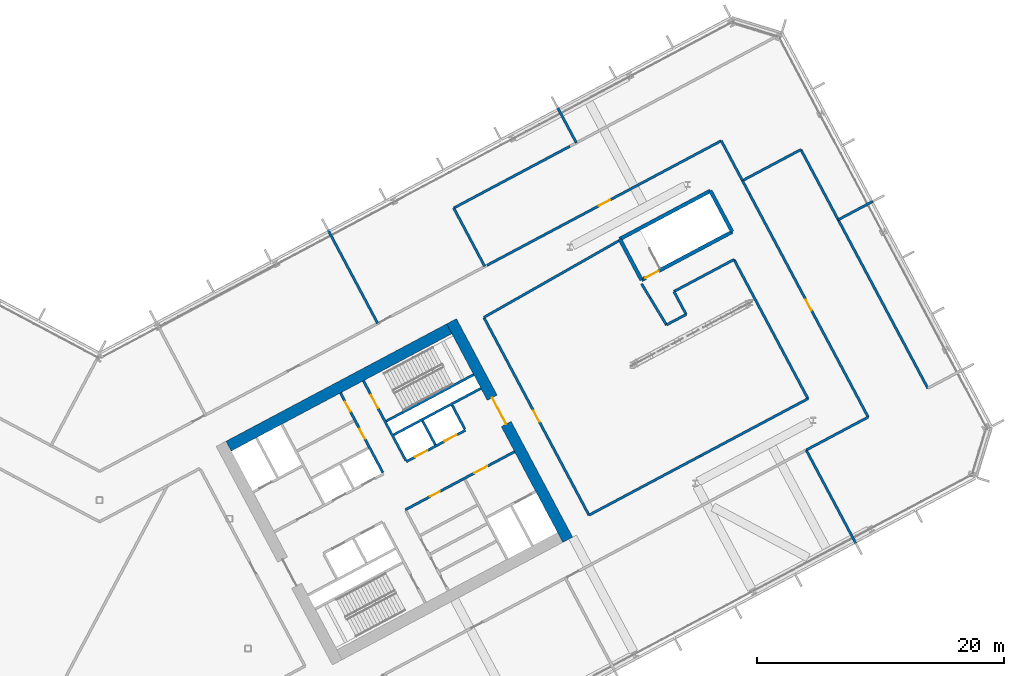
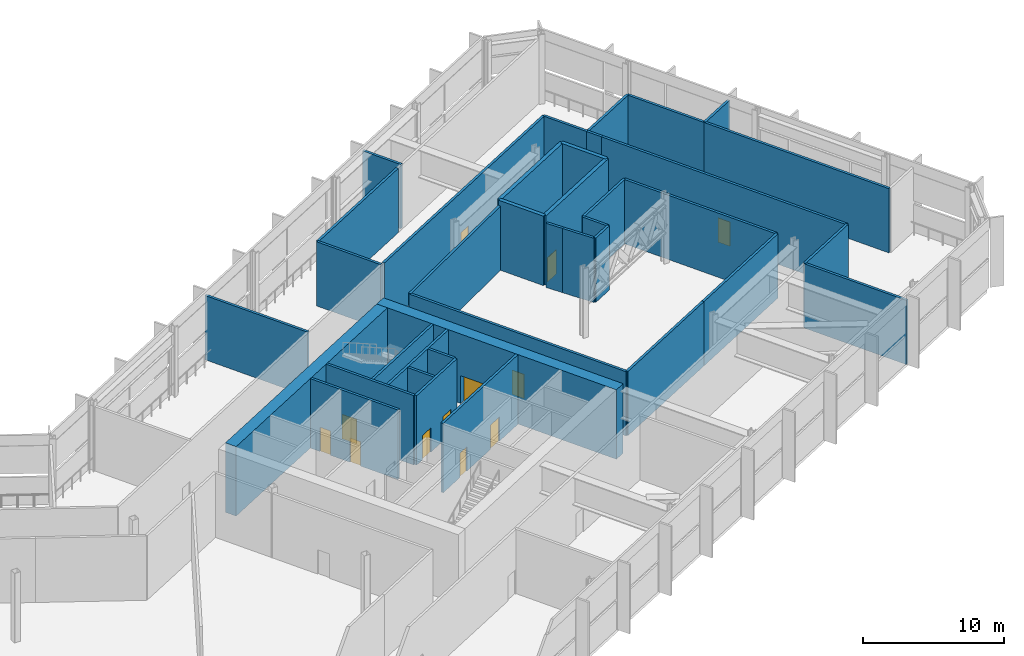
# One storey, part 16 of 33: 38 walls, 12 doors, 12 openings.
"""IFC4 building model written with IfcOpenShell, lengths in metres."""

from ifc_helpers import new_model, si_unit, direction, frame, frame_2d, origin, place, context, subcontext, project, spatial, rectangle, extrude, material, layer, layer_set, type_object, element, fill, save


model = new_model("IFC4")

# Units and contexts
model_context = context("Model", 3, precision=1e-05, world=origin(), true_north=direction((0.0, 1.0)))
body_context = subcontext(model_context, "Body", "Model", "MODEL_VIEW")
ifc_project = project(units=[si_unit("LENGTHUNIT", "METRE"), si_unit("AREAUNIT", "SQUARE_METRE"), si_unit("VOLUMEUNIT", "CUBIC_METRE"), si_unit("PLANEANGLEUNIT", "RADIAN"), si_unit("MASSUNIT", "GRAM", prefix="KILO")], contexts=[model_context])

# Site, building, storey
site_placement = place(None, origin())
site = spatial("IfcSite", under=ifc_project, at=site_placement, CompositionType="ELEMENT")
building_placement = place(site_placement, origin())
building = spatial("IfcBuilding", under=site, at=building_placement, Name="Cormorant Relay Tower", CompositionType="ELEMENT")
storey_placement = place(building_placement, frame((0.0, 0.0, 112.199951171875)))
storey = spatial("IfcBuildingStorey", under=building, at=storey_placement, Name="L22", CompositionType="ELEMENT", Elevation=112.199951171875)

# Wall
ifc_material_1 = material(Name="Concrete 40 MPa", Category="concrete")
ifc_layer_1 = layer(ifc_material_1, 0.199951171875)
ifc_layer_set_1 = layer_set([ifc_layer_1], Name="Core internal wall 200")
wall_type_1 = type_object("IfcWallType", Name="Core internal wall 200", PredefinedType="SOLIDWALL", material=ifc_layer_set_1)
wall_1_placement = place(storey_placement, frame((27.144287109375, 16.471435546875, 0.0), z_axis=(0.0, 0.0, 1.0), x_axis=(-0.469401318492, 0.882984938828, 0.0)))
element("IfcWall", 1, at=wall_1_placement, inside=storey, type_object=wall_type_1, Name="L22 core B shaft and room wall", PredefinedType="SOLIDWALL", context=body_context, shape_type="SweptSolid", body=[
    extrude(rectangle(XDim=2.199951171875, YDim=0.199951171875, at=frame_2d((1.10009765625, 0.0))), origin(), (0.0, 0.0, 1.0), 6.0),
])

# Wall, openings, doors
ifc_material_2 = material(Name="Concrete 50 MPa", Category="concrete")
ifc_layer_2 = layer(ifc_material_2, 0.199951171875)
ifc_layer_set_2 = layer_set([ifc_layer_2], Name="Core shaft wall 200")
wall_type_2 = type_object("IfcWallType", Name="Core shaft wall 200", PredefinedType="SHEAR", material=ifc_layer_set_2)
wall_2_placement = place(storey_placement, frame((22.90625, 14.218017578125, 0.0), z_axis=(0.0, 0.0, 1.0), x_axis=(-0.469480409012, 0.88294288918, 0.0)))
wall_2 = element("IfcWall", 2, at=wall_2_placement, inside=storey, type_object=wall_type_2, Name="L22 core B shaft wall", PredefinedType="SHEAR", context=body_context, shape_type="SweptSolid", body=[
    extrude(rectangle(XDim=7.300048828125, YDim=0.199951171875, at=frame_2d((3.64990234375, 0.0))), origin(), (0.0, 0.0, 1.0), 6.0),
])
opening_1_placement = place(wall_2_placement, frame((3.10009765625, 0.0, 0.0)))
opening_1 = element("IfcOpeningElement", 3, at=opening_1_placement, cuts=wall_2, Name="Opening CDD-161", PredefinedType="OPENING", context=body_context, shape_type="SweptSolid", body=[
    extrude(rectangle(XDim=0.89990234375, YDim=2.10009765625, at=frame_2d((0.449951171875, 1.050048828125))), frame((0.0, 0.10986328125, 0.0), z_axis=(0.0, -1.0, 0.0), x_axis=(1.0, 0.0, 0.0)), (0.0, 0.0, 1.0), 0.219970703125),
])
opening_2_placement = place(wall_2_placement, frame((5.60009765625, 0.0, 0.0)))
opening_2 = element("IfcOpeningElement", 4, at=opening_2_placement, cuts=wall_2, Name="Opening CDD-162", PredefinedType="OPENING", context=body_context, shape_type="SweptSolid", body=[
    extrude(rectangle(XDim=0.89990234375, YDim=2.10009765625, at=frame_2d((0.449951171875, 1.050048828125))), frame((0.0, 0.10986328125, 0.0), z_axis=(0.0, -1.0, 0.0), x_axis=(1.0, 0.0, 0.0)), (0.0, 0.0, 1.0), 0.219970703125),
])
ifc_material_3 = material(Name="Steel fire door", Category="steel")
door_type_1 = type_object("IfcDoorType", Name="Core room door 900x2100", OperationType="SINGLE_SWING_LEFT", PredefinedType="DOOR", material=ifc_material_3)
door_1_placement = place(opening_1_placement, origin())
door_1 = element("IfcDoor", 5, at=door_1_placement, inside=storey, type_object=door_type_1, Name="Core room door 900x2100", OperationType="SINGLE_SWING_RIGHT", OverallHeight=2.10009765625, OverallWidth=0.89990234375, PredefinedType="DOOR", context=body_context, shape_type="SweptSolid", body=[
    extrude(rectangle(XDim=0.89990234375, YDim=2.10009765625, at=frame_2d((0.449951171875, 1.050048828125))), frame((0.0, 0.02490234375, 0.0), z_axis=(0.0, -1.0, 0.0), x_axis=(1.0, 0.0, 0.0)), (0.0, 0.0, 1.0), 0.050048828125),
])
fill(opening_1, door_1)
door_2_placement = place(opening_2_placement, frame((0.89990234375, 0.0, 0.0), z_axis=(0.0, 0.0, 1.0), x_axis=(-1.0, 0.0, 0.0)))
door_2 = element("IfcDoor", 6, at=door_2_placement, inside=storey, type_object=door_type_1, Name="Core room door 900x2100", OperationType="SINGLE_SWING_LEFT", OverallHeight=2.10009765625, OverallWidth=0.89990234375, PredefinedType="DOOR", context=body_context, shape_type="SweptSolid", body=[
    extrude(rectangle(XDim=0.89990234375, YDim=2.10009765625, at=frame_2d((0.449951171875, 1.050048828125))), frame((0.0, 0.02490234375, 0.0), z_axis=(0.0, -1.0, 0.0), x_axis=(1.0, 0.0, 0.0)), (0.0, 0.0, 1.0), 0.050048828125),
])
fill(opening_2, door_2)

# Wall, opening, door
wall_3_placement = place(storey_placement, frame((24.760498046875, 15.2041015625, 0.0), z_axis=(0.0, 0.0, 1.0), x_axis=(-0.469494272526, 0.882935517501, 0.0)))
wall_3 = element("IfcWall", 7, at=wall_3_placement, inside=storey, type_object=wall_type_2, Name="L22 core B shaft wall", PredefinedType="SHEAR", context=body_context, shape_type="SweptSolid", body=[
    extrude(rectangle(XDim=7.2998046875, YDim=0.199951171875, at=frame_2d((3.64990234375, 0.0))), origin(), (0.0, 0.0, 1.0), 6.0),
])
opening_3_placement = place(wall_3_placement, frame((4.800048828125, 0.0, 0.0)))
opening_3 = element("IfcOpeningElement", 8, at=opening_3_placement, cuts=wall_3, Name="Opening CDB-032", PredefinedType="OPENING", context=body_context, shape_type="SweptSolid", body=[
    extrude(rectangle(XDim=1.199951171875, YDim=2.10009765625, at=frame_2d((0.60009765625, 1.050048828125))), frame((0.0, 0.10986328125, 0.0), z_axis=(0.0, -1.0, 0.0), x_axis=(1.0, 0.0, 0.0)), (0.0, 0.0, 1.0), 0.219970703125),
])
ifc_material_4 = material(Name="Steel fire door", Category="steel")
door_type_2 = type_object("IfcDoorType", Name="Core stair door 1200x2100", OperationType="SINGLE_SWING_LEFT", PredefinedType="DOOR", material=ifc_material_4)
door_3_placement = place(opening_3_placement, frame((1.199951171875, 0.0, 0.0), z_axis=(0.0, 0.0, 1.0), x_axis=(-1.0, 0.0, 0.0)))
door_3 = element("IfcDoor", 9, at=door_3_placement, inside=storey, type_object=door_type_2, Name="Core stair door 1200x2100", OperationType="SINGLE_SWING_RIGHT", OverallHeight=2.10009765625, OverallWidth=1.199951171875, PredefinedType="DOOR", context=body_context, shape_type="SweptSolid", body=[
    extrude(rectangle(XDim=1.199951171875, YDim=2.10009765625, at=frame_2d((0.60009765625, 1.050048828125))), frame((0.0, 0.02490234375, 0.0), z_axis=(0.0, -1.0, 0.0), x_axis=(1.0, 0.0, 0.0)), (0.0, 0.0, 1.0), 0.050048828125),
])
fill(opening_3, door_3)

# Wall
wall_4_placement = place(storey_placement, frame((29.5283203125, 17.739013671875, 0.0), z_axis=(0.0, 0.0, 1.0), x_axis=(-0.469401318492, 0.882984938828, 0.0)))
element("IfcWall", 10, at=wall_4_placement, inside=storey, type_object=wall_type_2, Name="L22 core B shaft wall", PredefinedType="SHEAR", context=body_context, shape_type="SweptSolid", body=[
    extrude(rectangle(XDim=2.199951171875, YDim=0.199951171875, at=frame_2d((1.10009765625, 0.0))), origin(), (0.0, 0.0, 1.0), 6.0),
])

# Wall, openings, doors
wall_5_placement = place(storey_placement, frame((24.72607421875, 11.2216796875, 0.0), z_axis=(0.0, 0.0, 1.0), x_axis=(0.882940221191, 0.469485426614, 0.0)))
wall_5 = element("IfcWall", 11, at=wall_5_placement, inside=storey, type_object=wall_type_2, Name="L22 core B shaft wall", PredefinedType="SHEAR", context=body_context, shape_type="SweptSolid", body=[
    extrude(rectangle(XDim=10.0, YDim=0.199951171875, at=frame_2d((5.0, 0.0))), origin(), (0.0, 0.0, 1.0), 6.0),
])
opening_4_placement = place(wall_5_placement, frame((6.300048828125, 0.0, 0.0)))
opening_4 = element("IfcOpeningElement", 12, at=opening_4_placement, cuts=wall_5, Name="Opening CDC-024", PredefinedType="OPENING", context=body_context, shape_type="SweptSolid", body=[
    extrude(rectangle(XDim=1.199951171875, YDim=2.10009765625, at=frame_2d((0.60009765625, 1.050048828125))), frame((0.0, 0.10986328125, 0.0), z_axis=(0.0, -1.0, 0.0), x_axis=(1.0, 0.0, 0.0)), (0.0, 0.0, 1.0), 0.219970703125),
])
opening_5_placement = place(wall_5_placement, frame((2.25, 0.0, 0.0)))
opening_5 = element("IfcOpeningElement", 13, at=opening_5_placement, cuts=wall_5, Name="Opening CDD-160", PredefinedType="OPENING", context=body_context, shape_type="SweptSolid", body=[
    extrude(rectangle(XDim=0.89990234375, YDim=2.10009765625, at=frame_2d((0.449951171875, 1.050048828125))), frame((0.0, 0.10986328125, 0.0), z_axis=(0.0, -1.0, 0.0), x_axis=(1.0, 0.0, 0.0)), (0.0, 0.0, 1.0), 0.219970703125),
])
ifc_material_5 = material(Name="Steel fire door", Category="steel")
door_type_3 = type_object("IfcDoorType", Name="Core lobby door 1200x2100", OperationType="SINGLE_SWING_LEFT", PredefinedType="DOOR", material=ifc_material_5)
door_4_placement = place(opening_4_placement, frame((1.199951171875, 0.0, 0.0), z_axis=(0.0, 0.0, 1.0), x_axis=(-1.0, 0.0, 0.0)))
door_4 = element("IfcDoor", 14, at=door_4_placement, inside=storey, type_object=door_type_3, Name="Core lobby door 1200x2100", OperationType="SINGLE_SWING_RIGHT", OverallHeight=2.10009765625, OverallWidth=1.199951171875, PredefinedType="DOOR", context=body_context, shape_type="SweptSolid", body=[
    extrude(rectangle(XDim=1.199951171875, YDim=2.10009765625, at=frame_2d((0.60009765625, 1.050048828125))), frame((0.0, 0.02490234375, 0.0), z_axis=(0.0, -1.0, 0.0), x_axis=(1.0, 0.0, 0.0)), (0.0, 0.0, 1.0), 0.050048828125),
])
fill(opening_4, door_4)
door_5_placement = place(opening_5_placement, frame((0.89990234375, 0.0, 0.0), z_axis=(0.0, 0.0, 1.0), x_axis=(-1.0, 0.0, 0.0)))
door_5 = element("IfcDoor", 15, at=door_5_placement, inside=storey, type_object=door_type_1, Name="Core room door 900x2100", OperationType="SINGLE_SWING_RIGHT", OverallHeight=2.10009765625, OverallWidth=0.89990234375, PredefinedType="DOOR", context=body_context, shape_type="SweptSolid", body=[
    extrude(rectangle(XDim=0.89990234375, YDim=2.10009765625, at=frame_2d((0.449951171875, 1.050048828125))), frame((0.0, 0.02490234375, 0.0), z_axis=(0.0, -1.0, 0.0), x_axis=(1.0, 0.0, 0.0)), (0.0, 0.0, 1.0), 0.050048828125),
])
fill(opening_5, door_5)

wall_6_placement = place(storey_placement, frame((24.807373046875, 15.11572265625, 0.0), z_axis=(0.0, 0.0, 1.0), x_axis=(0.882942972946, 0.469480251476, 0.0)))
wall_6 = element("IfcWall", 16, at=wall_6_placement, inside=storey, type_object=wall_type_2, Name="L22 core B shaft wall", PredefinedType="SHEAR", context=body_context, shape_type="SweptSolid", body=[
    extrude(rectangle(XDim=5.39990234375, YDim=0.199951171875, at=frame_2d((2.699951171875, 0.0))), origin(), (0.0, 0.0, 1.0), 6.0),
])
opening_6_placement = place(wall_6_placement, frame((0.800048828125, 0.0, 0.0)))
opening_6 = element("IfcOpeningElement", 17, at=opening_6_placement, cuts=wall_6, Name="Opening LD1-038", PredefinedType="OPENING", context=body_context, shape_type="SweptSolid", body=[
    extrude(rectangle(XDim=1.10009765625, YDim=2.10009765625, at=frame_2d((0.550048828125, 1.050048828125))), frame((0.0, 0.10986328125, 0.0), z_axis=(0.0, -1.0, 0.0), x_axis=(1.0, 0.0, 0.0)), (0.0, 0.0, 1.0), 0.219970703125),
])
opening_7_placement = place(wall_6_placement, frame((3.5, 0.0, 0.0)))
opening_7 = element("IfcOpeningElement", 18, at=opening_7_placement, cuts=wall_6, Name="Opening LD1-039", PredefinedType="OPENING", context=body_context, shape_type="SweptSolid", body=[
    extrude(rectangle(XDim=1.10009765625, YDim=2.10009765625, at=frame_2d((0.550048828125, 1.050048828125))), frame((0.0, 0.10986328125, 0.0), z_axis=(0.0, -1.0, 0.0), x_axis=(1.0, 0.0, 0.0)), (0.0, 0.0, 1.0), 0.219970703125),
])
ifc_material_6 = material(Name="Stainless steel 316", Category="steel")
door_type_4 = type_object("IfcDoorType", Name="Lift landing door 1100x2100", OperationType="DOUBLE_DOOR_SLIDING", PredefinedType="DOOR", material=ifc_material_6)
door_6_placement = place(opening_6_placement, origin())
door_6 = element("IfcDoor", 19, at=door_6_placement, inside=storey, type_object=door_type_4, Name="LR3 landing door", OperationType="DOUBLE_DOOR_SLIDING", OverallHeight=2.10009765625, OverallWidth=1.10009765625, PredefinedType="DOOR", context=body_context, shape_type="SweptSolid", body=[
    extrude(rectangle(XDim=1.10009765625, YDim=2.10009765625, at=frame_2d((0.550048828125, 1.050048828125))), frame((0.0, 0.02490234375, 0.0), z_axis=(0.0, -1.0, 0.0), x_axis=(1.0, 0.0, 0.0)), (0.0, 0.0, 1.0), 0.050048828125),
])
fill(opening_6, door_6)
door_7_placement = place(opening_7_placement, origin())
door_7 = element("IfcDoor", 20, at=door_7_placement, inside=storey, type_object=door_type_4, Name="LR4 landing door", OperationType="DOUBLE_DOOR_SLIDING", OverallHeight=2.10009765625, OverallWidth=1.10009765625, PredefinedType="DOOR", context=body_context, shape_type="SweptSolid", body=[
    extrude(rectangle(XDim=1.10009765625, YDim=2.10009765625, at=frame_2d((0.550048828125, 1.050048828125))), frame((0.0, 0.02490234375, 0.0), z_axis=(0.0, -1.0, 0.0), x_axis=(1.0, 0.0, 0.0)), (0.0, 0.0, 1.0), 0.050048828125),
])
fill(opening_7, door_7)

# Walls
wall_7_placement = place(storey_placement, frame((23.76904296875, 17.28173828125, 0.0), z_axis=(0.0, 0.0, 1.0), x_axis=(0.882940221191, 0.469485426614, 0.0)))
element("IfcWall", 21, at=wall_7_placement, inside=storey, type_object=wall_type_2, Name="L22 core B shaft wall", PredefinedType="SHEAR", context=body_context, shape_type="SweptSolid", body=[
    extrude(rectangle(XDim=8.0, YDim=0.199951171875, at=frame_2d((4.0, 0.0))), origin(), (0.0, 0.0, 1.0), 6.0),
])
wall_8_placement = place(storey_placement, frame((23.18212890625, 18.385498046875, 0.0), z_axis=(0.0, 0.0, 1.0), x_axis=(0.88295287151, 0.469461634952, 0.0)))
element("IfcWall", 22, at=wall_8_placement, inside=storey, type_object=wall_type_2, Name="L22 core B shaft wall", PredefinedType="SHEAR", context=body_context, shape_type="SweptSolid", body=[
    extrude(rectangle(XDim=7.999755859375, YDim=0.199951171875, at=frame_2d((4.0, 0.0))), origin(), (0.0, 0.0, 1.0), 6.0),
])

# Wall, opening, door
ifc_material_7 = material(Name="Concrete 70 MPa", Category="concrete")
ifc_layer_3 = layer(ifc_material_7, 0.89990234375)
ifc_layer_set_3 = layer_set([ifc_layer_3], Name="Core wall 900")
wall_type_3 = type_object("IfcWallType", Name="Core wall 900", PredefinedType="SHEAR", material=ifc_layer_set_3)
wall_9_placement = place(storey_placement, frame((37.849365234375, 8.799072265625, 0.0), z_axis=(0.0, 0.0, 1.0), x_axis=(-0.469465789982, 0.882950662289, 0.0)))
wall_9 = element("IfcWall", 23, at=wall_9_placement, inside=storey, type_object=wall_type_3, Name="L22 core B wall", PredefinedType="SHEAR", context=body_context, shape_type="SweptSolid", body=[
    extrude(rectangle(XDim=20.000244140625, YDim=0.89990234375, at=frame_2d((10.0, 0.0))), origin(), (0.0, 0.0, 1.0), 6.0),
])
opening_8_placement = place(wall_9_placement, frame((10.60009765625, 0.0, 0.0)))
opening_8 = element("IfcOpeningElement", 24, at=opening_8_placement, cuts=wall_9, Name="Opening CDA-025", PredefinedType="OPENING", context=body_context, shape_type="SweptSolid", body=[
    extrude(rectangle(XDim=2.39990234375, YDim=2.39990234375, at=frame_2d((1.199951171875, 1.199951171875))), frame((0.0, 0.4599609375, 0.0), z_axis=(0.0, -1.0, 0.0), x_axis=(1.0, 0.0, 0.0)), (0.0, 0.0, 1.0), 0.919921875),
])
ifc_material_8 = material(Name="Steel fire door", Category="steel")
door_type_5 = type_object("IfcDoorType", Name="Core lobby door 2400x2400", OperationType="DOUBLE_DOOR_SINGLE_SWING", PredefinedType="DOOR", material=ifc_material_8)
door_8_placement = place(opening_8_placement, origin())
door_8 = element("IfcDoor", 25, at=door_8_placement, inside=storey, type_object=door_type_5, Name="Core lobby door 2400x2400", OperationType="DOUBLE_DOOR_SINGLE_SWING", OverallHeight=2.39990234375, OverallWidth=2.39990234375, PredefinedType="DOOR", context=body_context, shape_type="SweptSolid", body=[
    extrude(rectangle(XDim=2.39990234375, YDim=2.39990234375, at=frame_2d((1.199951171875, 1.199951171875))), frame((0.0, 0.02490234375, 0.0), z_axis=(0.0, -1.0, 0.0), x_axis=(1.0, 0.0, 0.0)), (0.0, 0.0, 1.0), 0.050048828125),
])
fill(opening_8, door_8)

# Walls
wall_10_placement = place(storey_placement, frame((10.4384765625, 16.3662109375, 0.0), z_axis=(0.0, 0.0, 1.0), x_axis=(0.88294509198, 0.469476266226, 0.0)))
element("IfcWall", 26, at=wall_10_placement, inside=storey, type_object=wall_type_3, Name="L22 core B wall", PredefinedType="SHEAR", context=body_context, shape_type="SweptSolid", body=[
    extrude(rectangle(XDim=20.199951171875, YDim=0.89990234375, at=frame_2d((10.10009765625, 0.0))), origin(), (0.0, 0.0, 1.0), 6.0),
])
ifc_material_9 = material(Name="Fire-rated gypsum board partition")
ifc_layer_4 = layer(ifc_material_9, 0.199951171875)
ifc_layer_set_4 = layer_set([ifc_layer_4], Name="Fire-rated gypsum partition 200")
wall_type_4 = type_object("IfcWallType", Name="Fire-rated gypsum partition 200", PredefinedType="PARTITIONING", material=ifc_layer_set_4)
wall_11_placement = place(storey_placement, frame((18.47509765625, 33.833984375, 0.0), z_axis=(0.0, 0.0, 1.0), x_axis=(0.469471844694, -0.882947442965, 0.0)))
element("IfcWall", 27, at=wall_11_placement, inside=storey, type_object=wall_type_4, Name="wall/L22/part/56", PredefinedType="PARTITIONING", context=body_context, shape_type="SweptSolid", body=[
    extrude(rectangle(XDim=8.5498046875, YDim=0.199951171875, at=frame_2d((4.27490234375, 0.0))), origin(), (0.0, 0.0, 1.0), 5.550048828125),
])
wall_12_placement = place(storey_placement, frame((31.136962890625, 30.902099609375, 0.0), z_axis=(0.0, 0.0, 1.0), x_axis=(-0.469485426614, 0.882940221191, 0.0)))
element("IfcWall", 28, at=wall_12_placement, inside=storey, type_object=wall_type_4, Name="wall/L22/part/62", PredefinedType="PARTITIONING", context=body_context, shape_type="SweptSolid", body=[
    extrude(rectangle(XDim=5.333251953125, YDim=0.199951171875, at=frame_2d((2.66650390625, 0.0))), origin(), (0.0, 0.0, 1.0), 5.550048828125),
])
wall_13_placement = place(storey_placement, frame((28.633056640625, 35.611083984375, 0.0), z_axis=(0.0, 0.0, 1.0), x_axis=(0.882930875779, 0.469503001691, 0.0)))
element("IfcWall", 29, at=wall_13_placement, inside=storey, type_object=wall_type_4, Name="wall/L22/part/63", PredefinedType="PARTITIONING", context=body_context, shape_type="SweptSolid", body=[
    extrude(rectangle(XDim=10.640625, YDim=0.199951171875, at=frame_2d((5.3203125, 0.0))), origin(), (0.0, 0.0, 1.0), 5.550048828125),
])
wall_14_placement = place(storey_placement, frame((51.970947265625, 37.8349609375, 0.0), z_axis=(0.0, 0.0, 1.0), x_axis=(-0.469669656808, 0.882842235892, 0.0)))
element("IfcWall", 30, at=wall_14_placement, inside=storey, type_object=wall_type_4, Name="wall/L22/part/64", PredefinedType="PARTITIONING", context=body_context, shape_type="SweptSolid", body=[
    extrude(rectangle(XDim=3.642822265625, YDim=0.199951171875, at=frame_2d((1.8212890625, 0.0))), origin(), (0.0, 0.0, 1.0), 5.550048828125),
])

# Wall, opening, door
wall_15_placement = place(storey_placement, frame((31.3291015625, 30.985107421875, 0.0), z_axis=(0.0, 0.0, 1.0), x_axis=(0.882954237751, 0.469459065349, 0.0)))
wall_15 = element("IfcWall", 31, at=wall_15_placement, inside=storey, type_object=wall_type_4, Name="wall/L22/part/65", PredefinedType="PARTITIONING", context=body_context, shape_type="SweptSolid", body=[
    extrude(rectangle(XDim=21.44140625, YDim=0.199951171875, at=frame_2d((10.720703125, 0.0))), origin(), (0.0, 0.0, 1.0), 5.550048828125),
])
opening_9_placement = place(wall_15_placement, frame((10.25, 0.0, 0.0)))
opening_9 = element("IfcOpeningElement", 32, at=opening_9_placement, cuts=wall_15, Name="Opening FD1-150", PredefinedType="OPENING", context=body_context, shape_type="SweptSolid", body=[
    extrude(rectangle(XDim=1.0, YDim=2.10009765625, at=frame_2d((0.5, 1.050048828125))), frame((0.0, 0.10986328125, 0.0), z_axis=(0.0, -1.0, 0.0), x_axis=(1.0, 0.0, 0.0)), (0.0, 0.0, 1.0), 0.219970703125),
])
ifc_material_10 = material(Name="Fire-rated steel door", Category="steel")
door_type_6 = type_object("IfcDoorType", Name="Fire door 1000 x 2100", OperationType="SINGLE_SWING_LEFT", PredefinedType="DOOR", material=ifc_material_10)
door_9_placement = place(opening_9_placement, origin())
door_9 = element("IfcDoor", 33, at=door_9_placement, inside=storey, type_object=door_type_6, Name="door/L22/9", OperationType="SINGLE_SWING_LEFT", OverallHeight=2.10009765625, OverallWidth=1.0, PredefinedType="DOOR", context=body_context, shape_type="SweptSolid", body=[
    extrude(rectangle(XDim=1.0, YDim=2.10009765625, at=frame_2d((0.5, 1.050048828125))), frame((0.0, 0.02490234375, 0.0), z_axis=(0.0, -1.0, 0.0), x_axis=(1.0, 0.0, 0.0)), (0.0, 0.0, 1.0), 0.050048828125),
])
fill(opening_9, door_9)

# Walls
wall_16_placement = place(storey_placement, frame((37.0439453125, 43.70703125, 0.0), z_axis=(0.0, 0.0, 1.0), x_axis=(0.469447181805, -0.882960556025, 0.0)))
element("IfcWall", 34, at=wall_16_placement, inside=storey, type_object=wall_type_4, Name="wall/L22/part/66", PredefinedType="PARTITIONING", context=body_context, shape_type="SweptSolid", body=[
    extrude(rectangle(XDim=3.199462890625, YDim=0.199951171875, at=frame_2d((1.599609375, 0.0))), origin(), (0.0, 0.0, 1.0), 5.550048828125),
])
wall_17_placement = place(storey_placement, frame((57.1279296875, 16.049072265625, 0.0), z_axis=(0.0, 0.0, 1.0), x_axis=(0.469446762432, -0.882960778994, 0.0)))
element("IfcWall", 35, at=wall_17_placement, inside=storey, type_object=wall_type_4, Name="wall/L22/part/68", PredefinedType="PARTITIONING", context=body_context, shape_type="SweptSolid", body=[
    extrude(rectangle(XDim=8.55078125, YDim=0.199951171875, at=frame_2d((4.275390625, 0.0))), origin(), (0.0, 0.0, 1.0), 5.550048828125),
])
wall_18_placement = place(storey_placement, frame((48.541015625, 15.56005859375, 0.0), z_axis=(0.0, 0.0, 1.0), x_axis=(-0.882933406877, -0.469498241765, 0.0)))
element("IfcWall", 36, at=wall_18_placement, inside=storey, type_object=wall_type_4, Name="wall/L22/part/69", PredefinedType="PARTITIONING", context=body_context, shape_type="SweptSolid", body=[
    extrude(rectangle(XDim=10.1640625, YDim=0.199951171875, at=frame_2d((5.08203125, 0.0))), origin(), (0.0, 0.0, 1.0), 5.550048828125),
])

# Wall, opening, door
wall_19_placement = place(storey_placement, frame((39.56689453125, 10.7880859375, 0.0), z_axis=(0.0, 0.0, 1.0), x_axis=(-0.469474056812, 0.882946266757, 0.0)))
wall_19 = element("IfcWall", 37, at=wall_19_placement, inside=storey, type_object=wall_type_4, Name="wall/L22/part/70", PredefinedType="PARTITIONING", context=body_context, shape_type="SweptSolid", body=[
    extrude(rectangle(XDim=18.1005859375, YDim=0.199951171875, at=frame_2d((9.05029296875, 0.0))), origin(), (0.0, 0.0, 1.0), 5.550048828125),
])
opening_10_placement = place(wall_19_placement, frame((8.550048828125, 0.0, 0.0)))
opening_10 = element("IfcOpeningElement", 38, at=opening_10_placement, cuts=wall_19, Name="Opening FD1-143", PredefinedType="OPENING", context=body_context, shape_type="SweptSolid", body=[
    extrude(rectangle(XDim=1.0, YDim=2.10009765625, at=frame_2d((0.5, 1.050048828125))), frame((0.0, 0.10986328125, 0.0), z_axis=(0.0, -1.0, 0.0), x_axis=(1.0, 0.0, 0.0)), (0.0, 0.0, 1.0), 0.219970703125),
])
door_10_placement = place(opening_10_placement, origin())
door_10 = element("IfcDoor", 39, at=door_10_placement, inside=storey, type_object=door_type_6, Name="door/L22/23", OperationType="SINGLE_SWING_RIGHT", OverallHeight=2.10009765625, OverallWidth=1.0, PredefinedType="DOOR", context=body_context, shape_type="SweptSolid", body=[
    extrude(rectangle(XDim=1.0, YDim=2.10009765625, at=frame_2d((0.5, 1.050048828125))), frame((0.0, 0.02490234375, 0.0), z_axis=(0.0, -1.0, 0.0), x_axis=(1.0, 0.0, 0.0)), (0.0, 0.0, 1.0), 0.050048828125),
])
fill(opening_10, door_10)

# Walls
wall_20_placement = place(storey_placement, frame((31.069091796875, 26.77001953125, 0.0), z_axis=(0.0, 0.0, 1.0), x_axis=(0.86954617394, 0.493851649168, 0.0)))
element("IfcWall", 40, at=wall_20_placement, inside=storey, type_object=wall_type_4, Name="wall/L22/part/71", PredefinedType="PARTITIONING", context=body_context, shape_type="SweptSolid", body=[
    extrude(rectangle(XDim=12.55029296875, YDim=0.199951171875, at=frame_2d((6.275146484375, 0.0))), origin(), (0.0, 0.0, 1.0), 5.550048828125),
])
wall_21_placement = place(storey_placement, frame((43.81591796875, 29.490966796875, 0.0), z_axis=(0.0, 0.0, 1.0), x_axis=(0.518473208291, -0.855093873376, 0.0)))
element("IfcWall", 41, at=wall_21_placement, inside=storey, type_object=wall_type_4, Name="wall/L22/part/72", PredefinedType="PARTITIONING", context=body_context, shape_type="SweptSolid", body=[
    extrude(rectangle(XDim=1.324951171875, YDim=0.199951171875, at=frame_2d((0.66259765625, 0.0))), origin(), (0.0, 0.0, 1.0), 5.550048828125),
])
wall_22_placement = place(storey_placement, frame((45.8310546875, 26.1669921875, 0.0), z_axis=(0.0, 0.0, 1.0), x_axis=(-0.518386189645, 0.855146629757, 0.0)))
element("IfcWall", 42, at=wall_22_placement, inside=storey, type_object=wall_type_4, Name="wall/L22/part/73", PredefinedType="PARTITIONING", context=body_context, shape_type="SweptSolid", body=[
    extrude(rectangle(XDim=2.56201171875, YDim=0.199951171875, at=frame_2d((1.281005859375, 0.0))), origin(), (0.0, 0.0, 1.0), 5.550048828125),
])
wall_23_placement = place(storey_placement, frame((47.419921875, 27.011962890625, 0.0), z_axis=(0.0, 0.0, 1.0), x_axis=(-0.882911879422, -0.469538723829, 0.0)))
element("IfcWall", 43, at=wall_23_placement, inside=storey, type_object=wall_type_4, Name="wall/L22/part/74", PredefinedType="PARTITIONING", context=body_context, shape_type="SweptSolid", body=[
    extrude(rectangle(XDim=1.799560546875, YDim=0.199951171875, at=frame_2d((0.89990234375, 0.0))), origin(), (0.0, 0.0, 1.0), 5.550048828125),
])
wall_24_placement = place(storey_placement, frame((46.43408203125, 28.865966796875, 0.0), z_axis=(0.0, 0.0, 1.0), x_axis=(0.882942083458, 0.469481924316, 0.0)))
element("IfcWall", 44, at=wall_24_placement, inside=storey, type_object=wall_type_4, Name="wall/L22/part/75", PredefinedType="PARTITIONING", context=body_context, shape_type="SweptSolid", body=[
    extrude(rectangle(XDim=5.499755859375, YDim=0.199951171875, at=frame_2d((2.75, 0.0))), origin(), (0.0, 0.0, 1.0), 5.550048828125),
])
wall_25_placement = place(storey_placement, frame((51.2900390625, 31.447998046875, 0.0), z_axis=(0.0, 0.0, 1.0), x_axis=(0.469459757109, -0.882953869947, 0.0)))
element("IfcWall", 45, at=wall_25_placement, inside=storey, type_object=wall_type_4, Name="wall/L22/part/76", PredefinedType="PARTITIONING", context=body_context, shape_type="SweptSolid", body=[
    extrude(rectangle(XDim=12.738037109375, YDim=0.199951171875, at=frame_2d((6.369140625, 0.0))), origin(), (0.0, 0.0, 1.0), 5.550048828125),
])
wall_26_placement = place(storey_placement, frame((57.27001953125, 20.200927734375, 0.0), z_axis=(0.0, 0.0, 1.0), x_axis=(-0.882965394181, -0.469438081837, 0.0)))
element("IfcWall", 46, at=wall_26_placement, inside=storey, type_object=wall_type_4, Name="wall/L22/part/77", PredefinedType="PARTITIONING", context=body_context, shape_type="SweptSolid", body=[
    extrude(rectangle(XDim=9.885986328125, YDim=0.199951171875, at=frame_2d((4.94287109375, 0.0))), origin(), (0.0, 0.0, 1.0), 5.550048828125),
])
wall_27_placement = place(storey_placement, frame((47.419921875, 27.011962890625, 0.0), z_axis=(0.0, 0.0, 1.0), x_axis=(-0.469489562011, 0.882938022266, 0.0)))
element("IfcWall", 47, at=wall_27_placement, inside=storey, type_object=wall_type_4, Name="wall/L22/part/78", PredefinedType="PARTITIONING", context=body_context, shape_type="SweptSolid", body=[
    extrude(rectangle(XDim=2.099853515625, YDim=0.199951171875, at=frame_2d((1.0498046875, 0.0))), origin(), (0.0, 0.0, 1.0), 5.550048828125),
])
wall_28_placement = place(storey_placement, frame((51.970947265625, 37.8349609375, 0.0), z_axis=(0.0, 0.0, 1.0), x_axis=(0.469310046076, -0.883033453869, 0.0)))
element("IfcWall", 48, at=wall_28_placement, inside=storey, type_object=wall_type_4, Name="wall/L22/part/79", PredefinedType="PARTITIONING", context=body_context, shape_type="SweptSolid", body=[
    extrude(rectangle(XDim=1.229736328125, YDim=0.199951171875, at=frame_2d((0.61474609375, 0.0))), origin(), (0.0, 0.0, 1.0), 5.550048828125),
])
wall_29_placement = place(storey_placement, frame((52.02197265625, 37.85400390625, 0.0), z_axis=(0.0, 0.0, 1.0), x_axis=(0.882963467498, 0.469441705714, 0.0)))
element("IfcWall", 49, at=wall_29_placement, inside=storey, type_object=wall_type_4, Name="wall/L22/part/80", PredefinedType="PARTITIONING", context=body_context, shape_type="SweptSolid", body=[
    extrude(rectangle(XDim=5.2958984375, YDim=0.199951171875, at=frame_2d((2.64794921875, 0.0))), origin(), (0.0, 0.0, 1.0), 5.550048828125),
])
wall_30_placement = place(storey_placement, frame((56.697998046875, 40.340087890625, 0.0), z_axis=(0.0, 0.0, 1.0), x_axis=(0.4693776796, -0.882997505032, 0.0)))
element("IfcWall", 50, at=wall_30_placement, inside=storey, type_object=wall_type_4, Name="wall/L22/part/81", PredefinedType="PARTITIONING", context=body_context, shape_type="SweptSolid", body=[
    extrude(rectangle(XDim=6.4189453125, YDim=0.199951171875, at=frame_2d((3.20947265625, 0.0))), origin(), (0.0, 0.0, 1.0), 5.550048828125),
])
wall_31_placement = place(storey_placement, frame((57.135009765625, 16.052001953125, 0.0), z_axis=(0.0, 0.0, 1.0), x_axis=(0.882890251807, 0.469579389735, 0.0)))
element("IfcWall", 51, at=wall_31_placement, inside=storey, type_object=wall_type_4, Name="wall/L22/part/82", PredefinedType="PARTITIONING", context=body_context, shape_type="SweptSolid", body=[
    extrude(rectangle(XDim=5.66650390625, YDim=0.199951171875, at=frame_2d((2.833251953125, 0.0))), origin(), (0.0, 0.0, 1.0), 5.550048828125),
])

# Wall, opening, door
wall_32_placement = place(storey_placement, frame((62.137939453125, 18.712890625, 0.0), z_axis=(0.0, 0.0, 1.0), x_axis=(-0.469466289279, 0.882950396812, 0.0)))
wall_32 = element("IfcWall", 52, at=wall_32_placement, inside=storey, type_object=wall_type_4, Name="wall/L22/part/83", PredefinedType="PARTITIONING", context=body_context, shape_type="SweptSolid", body=[
    extrude(rectangle(XDim=20.427001953125, YDim=0.199951171875, at=frame_2d((10.21337890625, 0.0))), origin(), (0.0, 0.0, 1.0), 5.550048828125),
])
opening_11_placement = place(wall_32_placement, frame((9.75, 0.0, 0.0)))
opening_11 = element("IfcOpeningElement", 53, at=opening_11_placement, cuts=wall_32, Name="Opening FD1-149", PredefinedType="OPENING", context=body_context, shape_type="SweptSolid", body=[
    extrude(rectangle(XDim=1.0, YDim=2.10009765625, at=frame_2d((0.5, 1.050048828125))), frame((0.0, 0.10986328125, 0.0), z_axis=(0.0, -1.0, 0.0), x_axis=(1.0, 0.0, 0.0)), (0.0, 0.0, 1.0), 0.219970703125),
])
door_11_placement = place(opening_11_placement, frame((1.0, 0.0, 0.0), z_axis=(0.0, 0.0, 1.0), x_axis=(-1.0, 0.0, 0.0)))
door_11 = element("IfcDoor", 54, at=door_11_placement, inside=storey, type_object=door_type_6, Name="door/L22/8", OperationType="SINGLE_SWING_LEFT", OverallHeight=2.10009765625, OverallWidth=1.0, PredefinedType="DOOR", context=body_context, shape_type="SweptSolid", body=[
    extrude(rectangle(XDim=1.0, YDim=2.10009765625, at=frame_2d((0.5, 1.050048828125))), frame((0.0, 0.02490234375, 0.0), z_axis=(0.0, -1.0, 0.0), x_axis=(1.0, 0.0, 0.0)), (0.0, 0.0, 1.0), 0.050048828125),
])
fill(opening_11, door_11)

# Walls
wall_33_placement = place(storey_placement, frame((59.7109375, 34.672119140625, 0.0), z_axis=(0.0, 0.0, 1.0), x_axis=(0.469461626855, -0.882952875815, 0.0)))
element("IfcWall", 55, at=wall_33_placement, inside=storey, type_object=wall_type_4, Name="wall/L22/part/84", PredefinedType="PARTITIONING", context=body_context, shape_type="SweptSolid", body=[
    extrude(rectangle(XDim=15.43701171875, YDim=0.199951171875, at=frame_2d((7.718505859375, 0.0))), origin(), (0.0, 0.0, 1.0), 5.550048828125),
])
wall_34_placement = place(storey_placement, frame((62.5419921875, 36.166015625, 0.0), z_axis=(0.0, 0.0, 1.0), x_axis=(-0.883094981885, -0.46919425931, 0.0)))
element("IfcWall", 56, at=wall_34_placement, inside=storey, type_object=wall_type_4, Name="wall/L22/part/86", PredefinedType="PARTITIONING", context=body_context, shape_type="SweptSolid", body=[
    extrude(rectangle(XDim=3.201171875, YDim=0.199951171875, at=frame_2d((1.6005859375, 0.0))), origin(), (0.0, 0.0, 1.0), 5.550048828125),
])
ifc_material_11 = material(Name="Concrete 50 MPa", Category="concrete")
ifc_layer_5 = layer(ifc_material_11, 0.300048828125)
ifc_layer_set_5 = layer_set([ifc_layer_5], Name="Remote stair wall 300")
wall_type_5 = type_object("IfcWallType", Name="Remote stair wall 300", PredefinedType="SHEAR", material=ifc_layer_set_5)
wall_35_placement = place(storey_placement, frame((49.384033203125, 37.00390625, 0.0), z_axis=(0.0, 0.0, 1.0), x_axis=(0.46946936446, -0.882948761726, 0.0)))
element("IfcWall", 57, at=wall_35_placement, inside=storey, type_object=wall_type_5, Name="L22 exit stair RB1 wall", PredefinedType="SHEAR", context=body_context, shape_type="SweptSolid", body=[
    extrude(rectangle(XDim=3.75, YDim=0.300048828125, at=frame_2d((1.875, 0.0))), origin(), (0.0, 0.0, 1.0), 6.0),
])

# Wall, opening, door
wall_36_placement = place(storey_placement, frame((51.14453125, 33.69287109375, 0.0), z_axis=(0.0, 0.0, 1.0), x_axis=(-0.882945809314, -0.469474917132, 0.0)))
wall_36 = element("IfcWall", 58, at=wall_36_placement, inside=storey, type_object=wall_type_5, Name="L22 exit stair RB1 wall", PredefinedType="SHEAR", context=body_context, shape_type="SweptSolid", body=[
    extrude(rectangle(XDim=8.30029296875, YDim=0.300048828125, at=frame_2d((4.150146484375, 0.0))), origin(), (0.0, 0.0, 1.0), 6.0),
])
opening_12_placement = place(wall_36_placement, frame((6.72509765625, 0.0, 0.0)))
opening_12 = element("IfcOpeningElement", 59, at=opening_12_placement, cuts=wall_36, Name="Opening CDB-033", PredefinedType="OPENING", context=body_context, shape_type="SweptSolid", body=[
    extrude(rectangle(XDim=1.199951171875, YDim=2.10009765625, at=frame_2d((0.60009765625, 1.050048828125))), frame((0.0, 0.159912109375, 0.0), z_axis=(0.0, -1.0, 0.0), x_axis=(1.0, 0.0, 0.0)), (0.0, 0.0, 1.0), 0.320068359375),
])
door_12_placement = place(opening_12_placement, origin())
door_12 = element("IfcDoor", 60, at=door_12_placement, inside=storey, type_object=door_type_2, Name="Exit stair RB1 door", OperationType="SINGLE_SWING_RIGHT", OverallHeight=2.10009765625, OverallWidth=1.199951171875, PredefinedType="DOOR", context=body_context, shape_type="SweptSolid", body=[
    extrude(rectangle(XDim=1.199951171875, YDim=2.10009765625, at=frame_2d((0.60009765625, 1.050048828125))), frame((0.0, 0.02490234375, 0.0), z_axis=(0.0, -1.0, 0.0), x_axis=(1.0, 0.0, 0.0)), (0.0, 0.0, 1.0), 0.050048828125),
])
fill(opening_12, door_12)

# Walls
wall_37_placement = place(storey_placement, frame((43.81591796875, 29.796142578125, 0.0), z_axis=(0.0, 0.0, 1.0), x_axis=(-0.46946936446, 0.882948761726, 0.0)))
element("IfcWall", 61, at=wall_37_placement, inside=storey, type_object=wall_type_5, Name="L22 exit stair RB1 wall", PredefinedType="SHEAR", context=body_context, shape_type="SweptSolid", body=[
    extrude(rectangle(XDim=3.75, YDim=0.300048828125, at=frame_2d((1.875, 0.0))), origin(), (0.0, 0.0, 1.0), 6.0),
])
wall_38_placement = place(storey_placement, frame((42.055419921875, 33.107177734375, 0.0), z_axis=(0.0, 0.0, 1.0), x_axis=(0.882945809314, 0.469474917132, 0.0)))
element("IfcWall", 62, at=wall_38_placement, inside=storey, type_object=wall_type_5, Name="L22 exit stair RB1 wall", PredefinedType="SHEAR", context=body_context, shape_type="SweptSolid", body=[
    extrude(rectangle(XDim=8.30029296875, YDim=0.300048828125, at=frame_2d((4.150146484375, 0.0))), origin(), (0.0, 0.0, 1.0), 6.0),
])

save(model, "model.ifc")
